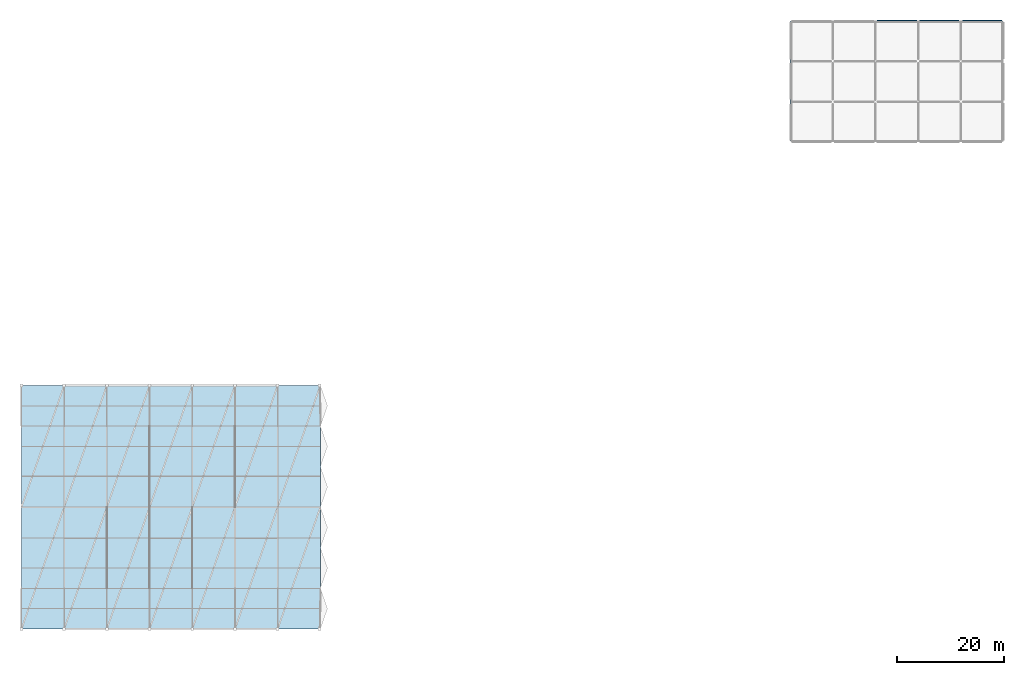
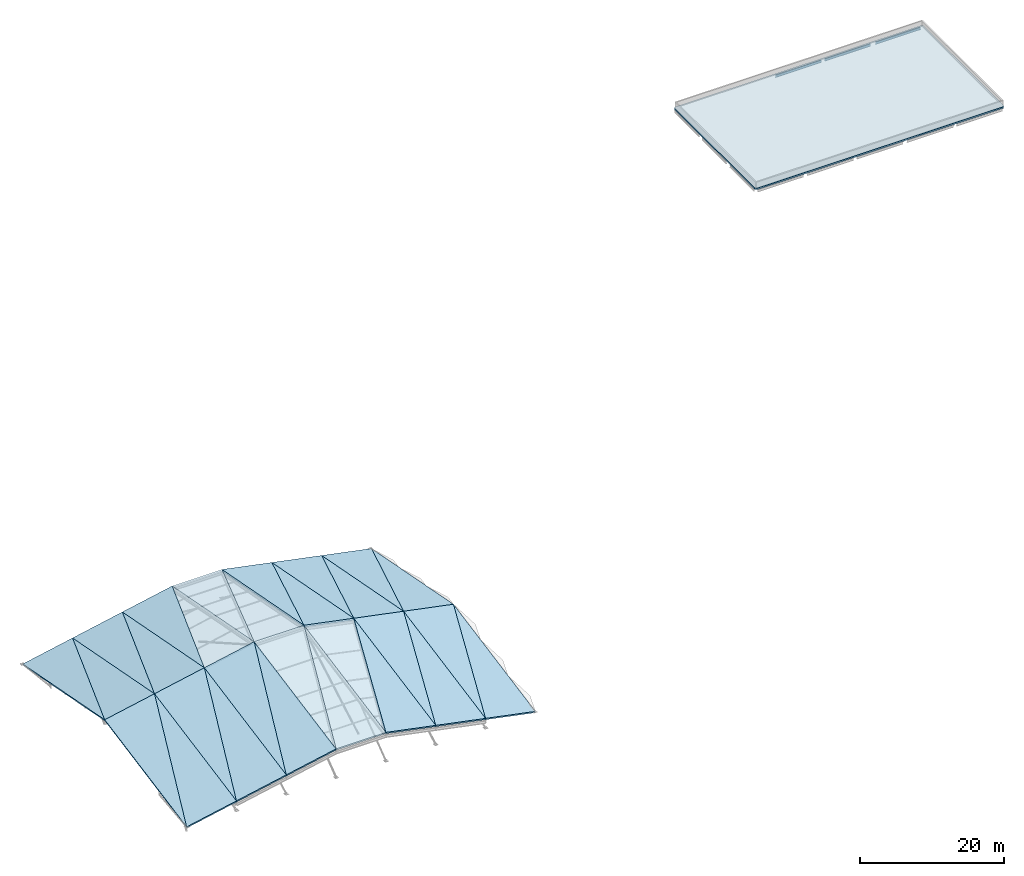
# One storey, part 3 of 9: 29 slabs, 3 beams.
"""IFC4 building model written with IfcOpenShell, lengths in metres."""

import ifcopenshell
import ifcopenshell.guid

model = None  # the IFC model being written
_history = None  # IfcOwnerHistory: only IFC2X3 demands one
_inside = {}  # id of a spatial element -> (the spatial element, [elements in it])
_under = {}  # id of a project, library or spatial element -> (it, [spatial elements below it])
_declared = {}  # id of a project -> (the project, [libraries it declares])
_typed = {}  # id of a type object -> (the type object, [elements of that type])
_made_of = {}  # id of a material, layer set ... -> (it, [elements and type objects made of it])


def new_model(schema):
    """Start an empty IFC model of exactly this schema.

    Asked for "IFC4X3", IfcOpenShell would pick the latest addendum, in which some entities
    have other attributes; the version numbers below select the first issue.
    IFC2X3 requires an IfcOwnerHistory on every rooted entity: one is made here for all.
    """
    global model, _history
    if schema == "IFC4X3":
        model = ifcopenshell.file(schema_version=(4, 3, 0, 0))
    else:
        model = ifcopenshell.file(schema=schema)
    _inside.clear()
    _under.clear()
    _declared.clear()
    _typed.clear()
    _made_of.clear()
    _history = None
    if model.schema == "IFC2X3":
        org = make("IfcOrganization", Name="unknown")
        user = make(
            "IfcPersonAndOrganization",
            ThePerson=make("IfcPerson", FamilyName="unknown"),
            TheOrganization=org,
        )
        app = make(
            "IfcApplication",
            ApplicationDeveloper=org,
            Version="unknown",
            ApplicationFullName="unknown",
            ApplicationIdentifier="unknown",
        )
        _history = make(
            "IfcOwnerHistory",
            OwningUser=user,
            OwningApplication=app,
            ChangeAction="ADDED",
            CreationDate=0,
        )
    return model


def make(cls, **values):
    """One entity of the class cls with the attributes given. An attribute that is None is left unset."""
    return model.create_entity(
        cls, **{name: value for name, value in values.items() if value is not None}
    )


def rooted(cls, **values):
    """An entity with a GlobalId (a new one), such as an element, a storey or a relation."""
    return make(cls, GlobalId=ifcopenshell.guid.new(), OwnerHistory=_history, **values)


def si_unit(unit_type, name, prefix=None):
    """IfcSIUnit, for example si_unit("LENGTHUNIT", "METRE", prefix="MILLI")."""
    return make("IfcSIUnit", UnitType=unit_type, Prefix=prefix, Name=name)


def assignment(units):
    """IfcUnitAssignment: the units of a project."""
    return None if units is None else make("IfcUnitAssignment", Units=units)


def point(xyz):
    """IfcCartesianPoint."""
    return None if xyz is None else make("IfcCartesianPoint", Coordinates=xyz)


def direction(xyz):
    """IfcDirection."""
    return None if xyz is None else make("IfcDirection", DirectionRatios=xyz)


def frame(location, z_axis=None, x_axis=None):
    """IfcAxis2Placement3D, a coordinate frame: its origin and axes. An axis left out is left unset."""
    return make(
        "IfcAxis2Placement3D",
        Location=point(location),
        Axis=direction(z_axis),
        RefDirection=direction(x_axis),
    )


def frame_2d(location, x_axis=None):
    """IfcAxis2Placement2D, a coordinate frame in the plane: its origin and x axis."""
    return make(
        "IfcAxis2Placement2D", Location=point(location), RefDirection=direction(x_axis)
    )


def origin():
    """The frame at (0, 0, 0) with its axes left unset."""
    return frame((0.0, 0.0, 0.0))


def origin_2d():
    """The frame at (0, 0) in the plane with its x axis left unset."""
    return frame_2d((0.0, 0.0))


def place(relative_to, where):
    """IfcLocalPlacement: puts the frame where relative to a parent placement (None: the world)."""
    return make(
        "IfcLocalPlacement", PlacementRelTo=relative_to, RelativePlacement=where
    )


def context(
    kind, dimensions, precision=None, world=None, true_north=None, identifier=None
):
    """IfcGeometricRepresentationContext, for example the 3D "Model" context."""
    return make(
        "IfcGeometricRepresentationContext",
        ContextIdentifier=identifier,
        ContextType=kind,
        CoordinateSpaceDimension=dimensions,
        Precision=precision,
        WorldCoordinateSystem=world,
        TrueNorth=true_north,
    )


def subcontext(parent, identifier, kind, view, scale=None):
    """IfcGeometricRepresentationSubContext, for example "Body" below "Model"."""
    return make(
        "IfcGeometricRepresentationSubContext",
        ContextIdentifier=identifier,
        ContextType=kind,
        ParentContext=parent,
        TargetScale=scale,
        TargetView=view,
    )


def project(units=None, contexts=None):
    """IfcProject with its units and contexts."""
    return rooted(
        "IfcProject",
        Name="project",
        RepresentationContexts=contexts,
        UnitsInContext=assignment(units),
    )


def spatial(cls, under=None, at=None, **own):
    """A site, building, storey or space (cls), placed at a placement, below another one or the project."""
    s = rooted(cls, ObjectPlacement=at, **own)
    if under is not None:
        _under.setdefault(under.id(), (under, []))[1].append(s)
    return s


def polyline(points):
    """IfcPolyline through the points."""
    return make("IfcPolyline", Points=[point(p) for p in points])


def profile(cls, at=None, kind="AREA", **sizes):
    """A parametric profile (cls). Its sizes go by their IFC names, for example OverallWidth=200.0."""
    return make(cls, ProfileType=kind, Position=at, **sizes)


def i_section(**sizes):
    """IfcIShapeProfileDef."""
    return profile("IfcIShapeProfileDef", **sizes)


def outline(outer, holes=None, kind="AREA"):
    """IfcArbitraryClosedProfileDef: a profile drawn as a closed curve; with holes, ...WithVoids."""
    if holes is None:
        return make("IfcArbitraryClosedProfileDef", ProfileType=kind, OuterCurve=outer)
    return make(
        "IfcArbitraryProfileDefWithVoids",
        ProfileType=kind,
        OuterCurve=outer,
        InnerCurves=holes,
    )


def extrude(swept, where, along, depth):
    """IfcExtrudedAreaSolid: the profile swept, set in the frame where, extruded along a direction by depth."""
    return make(
        "IfcExtrudedAreaSolid",
        SweptArea=swept,
        Position=where,
        ExtrudedDirection=direction(along),
        Depth=depth,
    )


def shape(context_of_items, identifier, shape_type, items):
    """IfcShapeRepresentation: the items that make up one representation, for example the "Body"."""
    return make(
        "IfcShapeRepresentation",
        ContextOfItems=context_of_items,
        RepresentationIdentifier=identifier,
        RepresentationType=shape_type,
        Items=items,
    )


def material(Name=None, Category=None):
    """IfcMaterial."""
    return make("IfcMaterial", Name=Name, Category=Category)


def layer(
    of_material, thickness, ventilated=None, Name=None, Category=None, Priority=None
):
    """IfcMaterialLayer: one layer of a wall or slab, of a material (None: an air gap)."""
    return make(
        "IfcMaterialLayer",
        Material=of_material,
        LayerThickness=thickness,
        IsVentilated=ventilated,
        Name=Name,
        Category=Category,
        Priority=Priority,
    )


def layer_set(layers, Name=None):
    """IfcMaterialLayerSet."""
    return make("IfcMaterialLayerSet", MaterialLayers=layers, LayerSetName=Name)


def material_profile(
    of_material, cross_section, Name=None, Category=None, Priority=None
):
    """IfcMaterialProfile: a cross section and its material."""
    return make(
        "IfcMaterialProfile",
        Name=Name,
        Material=of_material,
        Profile=cross_section,
        Priority=Priority,
        Category=Category,
    )


def profile_set(profiles, Name=None, composite=None):
    """IfcMaterialProfileSet."""
    return make(
        "IfcMaterialProfileSet",
        Name=Name,
        MaterialProfiles=profiles,
        CompositeProfile=composite,
    )


def made_of(thing, what):
    """Note that an element or type object is made of a material, layer set ...; save() writes the relation."""
    if what is not None:
        _made_of.setdefault(what.id(), (what, []))[1].append(thing)
    return thing


def type_object(cls, material=None, **own):
    """A type object (cls), such as IfcWallType, which elements share."""
    return made_of(rooted(cls, **own), material)


def element(
    cls,
    number,
    at=None,
    inside=None,
    cuts=None,
    type_object=None,
    material=None,
    context=None,
    identifier="Body",
    shape_type=None,
    held_by="IfcProductDefinitionShape",
    body=None,
    shapes=None,
    **own,
):
    """One element of the class cls, such as IfcWall. Its Tag is "e" and its number.

    at: its placement. inside: the storey or other place that contains it. cuts: it is an
    opening in that element (IfcRelVoidsElement). A single representation is given by context,
    identifier, shape_type and body (its items); several are given by shapes. held_by: the class
    of the entity that holds the representations. save() writes the other relations.
    """
    e = rooted(cls, Tag="e%d" % number, ObjectPlacement=at, **own)
    if body is not None:
        shapes = [shape(context, identifier, shape_type, body)]
    if shapes is not None:
        e.Representation = make(held_by, Representations=shapes)
    if inside is not None:
        _inside.setdefault(inside.id(), (inside, []))[1].append(e)
    if cuts is not None:
        rooted(
            "IfcRelVoidsElement", RelatingBuildingElement=cuts, RelatedOpeningElement=e
        )
    if type_object is not None:
        _typed.setdefault(type_object.id(), (type_object, []))[1].append(e)
    return made_of(e, material)


def aggregate(whole, parts):
    """IfcRelAggregates: a whole, such as a stair, and the parts it consists of."""
    return rooted("IfcRelAggregates", RelatingObject=whole, RelatedObjects=parts)


def save(model, path):
    """Write the relations noted so far, then the file.

    IfcRelAggregates (storeys below a building ...), IfcRelContainedInSpatialStructure (elements
    in a storey), IfcRelDefinesByType, IfcRelAssociatesMaterial and IfcRelDeclares: one each for
    every whole, place, type object, material and project.
    """
    for whole, parts in _under.values():
        aggregate(whole, parts)
    for where, things in _inside.values():
        rooted(
            "IfcRelContainedInSpatialStructure",
            RelatedElements=things,
            RelatingStructure=where,
        )
    for kind, things in _typed.values():
        rooted("IfcRelDefinesByType", RelatedObjects=things, RelatingType=kind)
    for what, things in _made_of.values():
        rooted("IfcRelAssociatesMaterial", RelatedObjects=things, RelatingMaterial=what)
    for by, libraries in _declared.values():
        rooted("IfcRelDeclares", RelatingContext=by, RelatedDefinitions=libraries)
    model.write(path)


model = new_model("IFC4")

# Units and contexts
model_context = context("Model", 3, precision=1e-05, world=origin(), true_north=direction((0.0, 1.0)))
body_context = subcontext(model_context, "Body", "Model", "MODEL_VIEW")
ifc_project = project(units=[si_unit("LENGTHUNIT", "METRE"), si_unit("AREAUNIT", "SQUARE_METRE"), si_unit("VOLUMEUNIT", "CUBIC_METRE"), si_unit("PLANEANGLEUNIT", "RADIAN"), si_unit("MASSUNIT", "GRAM", prefix="KILO")], contexts=[model_context])

# Site, building, storey
site_placement = place(None, origin())
site = spatial("IfcSite", under=ifc_project, at=site_placement, CompositionType="ELEMENT")
building_placement = place(site_placement, origin())
building = spatial("IfcBuilding", under=site, at=building_placement, Name="Khelvaren Railside Concert Hall", CompositionType="ELEMENT")
storey_placement = place(building_placement, frame((0.0, 0.0, 29.39990234375)))
storey = spatial("IfcBuildingStorey", under=building, at=storey_placement, Name="ROOF", CompositionType="ELEMENT", Elevation=29.39990234375)

# Beams
ifc_material_1 = material(Name="Steel S355", Category="steel")
ifc_material_profile = material_profile(ifc_material_1, i_section(OverallWidth=0.179931640625, OverallDepth=0.39990234375, WebThickness=0.008544921875, FlangeThickness=0.013427734375, FilletRadius=0.02099609375, at=origin_2d()), Name="IPE 400")
ifc_profile_set = profile_set([ifc_material_profile], Name="Steel S355")
beam_type = type_object("IfcBeamType", Name="BM29", PredefinedType="BEAM", material=ifc_profile_set)
beam_1_placement = place(storey_placement, frame((160.3359375, 114.0, -0.449951171875), z_axis=(1.0, 0.0, 0.0), x_axis=(0.0, 1.0, 0.0)))
element("IfcBeam", 1, at=beam_1_placement, inside=storey, type_object=beam_type, Name="V5-TOP Roof Beam X (160-168)", PredefinedType="BEAM", context=body_context, shape_type="SweptSolid", body=[
    extrude(i_section(OverallWidth=0.179931640625, OverallDepth=0.39990234375, WebThickness=0.008544921875, FlangeThickness=0.013427734375, FilletRadius=0.02099609375, at=origin_2d()), origin(), (0.0, 0.0, 1.0), 7.39111328125),
])
beam_2_placement = place(storey_placement, frame((168.27294921875, 114.0, -0.449951171875), z_axis=(1.0, 0.0, 0.0), x_axis=(0.0, 1.0, 0.0)))
element("IfcBeam", 2, at=beam_2_placement, inside=storey, type_object=beam_type, Name="V5-TOP Roof Beam X (168-176)", PredefinedType="BEAM", context=body_context, shape_type="SweptSolid", body=[
    extrude(i_section(OverallWidth=0.179931640625, OverallDepth=0.39990234375, WebThickness=0.008544921875, FlangeThickness=0.013427734375, FilletRadius=0.02099609375, at=origin_2d()), origin(), (0.0, 0.0, 1.0), 7.3271484375),
])
beam_3_placement = place(storey_placement, frame((176.39990234375, 114.0, -0.449951171875), z_axis=(1.0, 0.0, 0.0), x_axis=(0.0, 1.0, 0.0)))
element("IfcBeam", 3, at=beam_3_placement, inside=storey, type_object=beam_type, Name="V5-TOP Roof Beam X (176-184)", PredefinedType="BEAM", context=body_context, shape_type="SweptSolid", body=[
    extrude(i_section(OverallWidth=0.179931640625, OverallDepth=0.39990234375, WebThickness=0.008544921875, FlangeThickness=0.013427734375, FilletRadius=0.02099609375, at=origin_2d()), origin(), (0.0, 0.0, 1.0), 7.25),
])

# Slabs
ifc_material_2 = material(Name="Concrete C40/50", Category="concrete")
ifc_layer_1 = layer(ifc_material_2, 0.25)
ifc_layer_set_1 = layer_set([ifc_layer_1], Name="Concrete C40/50")
slab_type_1 = type_object("IfcSlabType", Name="RS83", PredefinedType="ROOF", material=ifc_layer_set_1)
slab_1_placement = place(storey_placement, frame((0.0, 0.0, -0.25)))
element("IfcSlab", 4, at=slab_1_placement, inside=storey, type_object=slab_type_1, Name="V5-TOP ROOF Flat Roof Slab", PredefinedType="ROOF", context=body_context, shape_type="SweptSolid", body=[
    extrude(outline(polyline([(144.25, 91.199951171875), (183.75, 91.199951171875), (184.0, 91.449951171875), (184.0, 113.75), (183.75, 114.0), (144.25, 114.0), (144.0, 113.75), (144.0, 91.449951171875), (144.25, 91.199951171875)])), origin(), (0.0, 0.0, 1.0), 0.25),
])
ifc_layer_2 = layer(ifc_material_2, 0.260009765625)
ifc_layer_set_2 = layer_set([ifc_layer_2], Name="Concrete C40/50")
slab_type_2 = type_object("IfcSlabType", Name="RS89", PredefinedType="ROOF", material=ifc_layer_set_2)
slab_2_placement = place(storey_placement, frame((0.0, 0.0, -2.599853515625), z_axis=(-0.194237501785, -0.184311207674, 0.963483872011), x_axis=(0.980278058899, 0.0, 0.197623195101)))
element("IfcSlab", 5, at=slab_2_placement, inside=storey, type_object=slab_type_2, Name="Main Hall Folded Crystal Roof Facet 1S1", PredefinedType="ROOF", context=body_context, shape_type="SweptSolid", body=[
    extrude(outline(polyline([(0.0, 0.0), (8.160949770709868, 0.0), (9.022897617508482, 23.197469368501228), (0.0, 0.0)])), origin(), (0.0, 0.0, -1.0), 0.260009765625),
])
slab_3_placement = place(storey_placement, frame((0.0, 0.0, -2.599853515625), z_axis=(-0.194237501785, -0.184311207674, 0.963483872011), x_axis=(0.321408213141, 0.916015369171, 0.240026256829)))
element("IfcSlab", 6, at=slab_3_placement, inside=storey, type_object=slab_type_2, Name="Main Hall Folded Crystal Roof Facet 1S2", PredefinedType="ROOF", context=body_context, shape_type="SweptSolid", body=[
    extrude(outline(polyline([(0.0, 0.0), (24.890465373684616, 6.661338147750939e-16), (21.932087009228834, 7.605859492047521), (0.0, 0.0)])), origin(), (0.0, 0.0, -1.0), 0.260009765625),
])
slab_4_placement = place(storey_placement, frame((0.0, 22.800048828125, 1.76171875), z_axis=(-0.194237501785, 0.184311207674, 0.963483872011), x_axis=(0.980278058899, 0.0, 0.197623195101)))
element("IfcSlab", 7, at=slab_4_placement, inside=storey, type_object=slab_type_2, Name="Main Hall Folded Crystal Roof Facet 1N1", PredefinedType="ROOF", context=body_context, shape_type="SweptSolid", body=[
    extrude(outline(polyline([(0.0, 0.0), (8.160949770709868, 0.0), (7.299001923911255, 23.197469368501224), (0.0, 0.0)])), origin(), (0.0, 0.0, -1.0), 0.260009765625),
])
slab_5_placement = place(storey_placement, frame((0.0, 22.800048828125, 1.76171875), z_axis=(-0.194237501785, 0.184311207674, 0.963483872011), x_axis=(0.32896527427, 0.937553039514, -0.113031616913)))
element("IfcSlab", 8, at=slab_5_placement, inside=storey, type_object=slab_type_2, Name="Main Hall Folded Crystal Roof Facet 1N2", PredefinedType="ROOF", context=body_context, shape_type="SweptSolid", body=[
    extrude(outline(polyline([(0.0, 0.0), (24.318676242505735, -6.661338147750939e-16), (21.869250645349265, 7.78469109239693), (0.0, 0.0)])), origin(), (0.0, 0.0, -1.0), 0.260009765625),
])
slab_6_placement = place(storey_placement, frame((8.0, 0.0, -0.987060546875), z_axis=(-0.194237501785, -0.184311207674, 0.963483872011), x_axis=(0.980278058899, 0.0, 0.197623195101)))
element("IfcSlab", 9, at=slab_6_placement, inside=storey, type_object=slab_type_2, Name="Main Hall Folded Crystal Roof Facet 2S1", PredefinedType="ROOF", context=body_context, shape_type="SweptSolid", body=[
    extrude(outline(polyline([(0.0, 0.0), (8.160949770709868, 0.0), (9.022897617508482, 23.197469368501228), (0.0, 0.0)])), origin(), (0.0, 0.0, -1.0), 0.260009765625),
])
slab_7_placement = place(storey_placement, frame((8.0, 0.0, -0.987060546875), z_axis=(-0.194237501785, -0.184311207674, 0.963483872011), x_axis=(0.321408213141, 0.916015369171, 0.240026256829)))
element("IfcSlab", 10, at=slab_7_placement, inside=storey, type_object=slab_type_2, Name="Main Hall Folded Crystal Roof Facet 2S2", PredefinedType="ROOF", context=body_context, shape_type="SweptSolid", body=[
    extrude(outline(polyline([(0.0, 0.0), (24.890465373684616, 6.661338147750939e-16), (21.932087009228834, 7.605859492047521), (0.0, 0.0)])), origin(), (0.0, 0.0, -1.0), 0.260009765625),
])
slab_8_placement = place(storey_placement, frame((8.0, 22.800048828125, 3.37451171875), z_axis=(-0.194237501785, 0.184311207674, 0.963483872011), x_axis=(0.980278058899, 0.0, 0.197623195101)))
element("IfcSlab", 11, at=slab_8_placement, inside=storey, type_object=slab_type_2, Name="Main Hall Folded Crystal Roof Facet 2N1", PredefinedType="ROOF", context=body_context, shape_type="SweptSolid", body=[
    extrude(outline(polyline([(0.0, 0.0), (8.160949770709868, 0.0), (7.299001923911255, 23.197469368501224), (0.0, 0.0)])), origin(), (0.0, 0.0, -1.0), 0.260009765625),
])
slab_9_placement = place(storey_placement, frame((8.0, 22.800048828125, 3.37451171875), z_axis=(-0.194237501785, 0.184311207674, 0.963483872011), x_axis=(0.32896527427, 0.937553039514, -0.113031616913)))
element("IfcSlab", 12, at=slab_9_placement, inside=storey, type_object=slab_type_2, Name="Main Hall Folded Crystal Roof Facet 2N2", PredefinedType="ROOF", context=body_context, shape_type="SweptSolid", body=[
    extrude(outline(polyline([(0.0, 0.0), (24.318676242505735, -6.661338147750939e-16), (21.869250645349265, 7.78469109239693), (0.0, 0.0)])), origin(), (0.0, 0.0, -1.0), 0.260009765625),
])
slab_10_placement = place(storey_placement, frame((16.0, 0.0, 0.625732421875), z_axis=(-0.194237501785, -0.184311207674, 0.963483872011), x_axis=(0.980278058899, 0.0, 0.197623195101)))
element("IfcSlab", 13, at=slab_10_placement, inside=storey, type_object=slab_type_2, Name="Main Hall Folded Crystal Roof Facet 3S1", PredefinedType="ROOF", context=body_context, shape_type="SweptSolid", body=[
    extrude(outline(polyline([(0.0, 0.0), (8.160949770709868, 0.0), (9.022897617508482, 23.197469368501228), (0.0, 0.0)])), origin(), (0.0, 0.0, -1.0), 0.260009765625),
])
slab_11_placement = place(storey_placement, frame((16.0, 0.0, 0.625732421875), z_axis=(-0.194237501785, -0.184311207674, 0.963483872011), x_axis=(0.321408213141, 0.916015369171, 0.240026256829)))
element("IfcSlab", 14, at=slab_11_placement, inside=storey, type_object=slab_type_2, Name="Main Hall Folded Crystal Roof Facet 3S2", PredefinedType="ROOF", context=body_context, shape_type="SweptSolid", body=[
    extrude(outline(polyline([(0.0, 0.0), (24.890465373684616, 6.661338147750939e-16), (21.932087009228834, 7.605859492047521), (0.0, 0.0)])), origin(), (0.0, 0.0, -1.0), 0.260009765625),
])
slab_12_placement = place(storey_placement, frame((16.0, 22.800048828125, 4.9873046875), z_axis=(-0.194237501785, 0.184311207674, 0.963483872011), x_axis=(0.980278058899, 0.0, 0.197623195101)))
element("IfcSlab", 15, at=slab_12_placement, inside=storey, type_object=slab_type_2, Name="Main Hall Folded Crystal Roof Facet 3N1", PredefinedType="ROOF", context=body_context, shape_type="SweptSolid", body=[
    extrude(outline(polyline([(0.0, 0.0), (8.160949770709868, 0.0), (7.299001923911255, 23.197469368501224), (0.0, 0.0)])), origin(), (0.0, 0.0, -1.0), 0.260009765625),
])
slab_13_placement = place(storey_placement, frame((16.0, 22.800048828125, 4.9873046875), z_axis=(-0.194237501785, 0.184311207674, 0.963483872011), x_axis=(0.32896527427, 0.937553039514, -0.113031616913)))
element("IfcSlab", 16, at=slab_13_placement, inside=storey, type_object=slab_type_2, Name="Main Hall Folded Crystal Roof Facet 3N2", PredefinedType="ROOF", context=body_context, shape_type="SweptSolid", body=[
    extrude(outline(polyline([(0.0, 0.0), (24.318676242505735, -6.661338147750939e-16), (21.869250645349265, 7.78469109239693), (0.0, 0.0)])), origin(), (0.0, 0.0, -1.0), 0.260009765625),
])
slab_14_placement = place(storey_placement, frame((24.0, 0.0, 2.238525390625), z_axis=(0.0, -0.187889654161, 0.982190143434), x_axis=(1.0, 0.0, 0.0)))
element("IfcSlab", 17, at=slab_14_placement, inside=storey, type_object=slab_type_2, Name="Main Hall Folded Crystal Roof Facet 4S1", PredefinedType="ROOF", context=body_context, shape_type="SweptSolid", body=[
    extrude(outline(polyline([(0.0, 0.0), (8.0, 0.0), (8.0, 23.213477533388946), (0.0, 0.0)])), origin(), (0.0, 0.0, -1.0), 0.260009765625),
])
slab_15_placement = place(storey_placement, frame((24.0, 0.0, 2.238525390625), z_axis=(0.0, -0.187889654161, 0.982190143434), x_axis=(0.325821513861, 0.92859330316, 0.1776367598)))
element("IfcSlab", 18, at=slab_15_placement, inside=storey, type_object=slab_type_2, Name="Main Hall Folded Crystal Roof Facet 4S2", PredefinedType="ROOF", context=body_context, shape_type="SweptSolid", body=[
    extrude(outline(polyline([(0.0, 0.0), (24.553320329298714, -8.326672684688674e-16), (21.946748218412726, 7.563450391901262), (0.0, 0.0)])), origin(), (0.0, 0.0, -1.0), 0.260009765625),
])
slab_16_placement = place(storey_placement, frame((24.0, 22.800048828125, 6.60009765625), z_axis=(0.0, 0.187889654161, 0.982190143434), x_axis=(1.0, 0.0, 0.0)))
element("IfcSlab", 19, at=slab_16_placement, inside=storey, type_object=slab_type_2, Name="Main Hall Folded Crystal Roof Facet 4N1", PredefinedType="ROOF", context=body_context, shape_type="SweptSolid", body=[
    extrude(outline(polyline([(0.0, 0.0), (8.0, 0.0), (8.0, 23.213477533388946), (0.0, 0.0)])), origin(), (0.0, 0.0, -1.0), 0.260009765625),
])
slab_17_placement = place(storey_placement, frame((24.0, 22.800048828125, 6.60009765625), z_axis=(0.0, 0.187889654161, 0.982190143434), x_axis=(0.325821513861, 0.92859330316, -0.1776367598)))
element("IfcSlab", 20, at=slab_17_placement, inside=storey, type_object=slab_type_2, Name="Main Hall Folded Crystal Roof Facet 4N2", PredefinedType="ROOF", context=body_context, shape_type="SweptSolid", body=[
    extrude(outline(polyline([(0.0, 0.0), (24.553320329298714, -8.326672684688674e-16), (21.946748218412726, 7.563450391901262), (0.0, 0.0)])), origin(), (0.0, 0.0, -1.0), 0.260009765625),
])
slab_18_placement = place(storey_placement, frame((32.0, 0.0, 2.238525390625), z_axis=(0.194237501785, -0.184311207674, 0.963483872011), x_axis=(0.980278058899, 0.0, -0.197623195101)))
element("IfcSlab", 21, at=slab_18_placement, inside=storey, type_object=slab_type_2, Name="Main Hall Folded Crystal Roof Facet 5S1", PredefinedType="ROOF", context=body_context, shape_type="SweptSolid", body=[
    extrude(outline(polyline([(0.0, 0.0), (8.160949770709868, 0.0), (7.299001923911255, 23.197469368501224), (0.0, 0.0)])), origin(), (0.0, 0.0, -1.0), 0.260009765625),
])
slab_19_placement = place(storey_placement, frame((32.0, 0.0, 2.238525390625), z_axis=(0.194237501785, -0.184311207674, 0.963483872011), x_axis=(0.32896527427, 0.937553039514, 0.113031616913)))
element("IfcSlab", 22, at=slab_19_placement, inside=storey, type_object=slab_type_2, Name="Main Hall Folded Crystal Roof Facet 5S2", PredefinedType="ROOF", context=body_context, shape_type="SweptSolid", body=[
    extrude(outline(polyline([(0.0, 0.0), (24.318676242505735, -6.661338147750939e-16), (21.869250645349265, 7.78469109239693), (0.0, 0.0)])), origin(), (0.0, 0.0, -1.0), 0.260009765625),
])
slab_20_placement = place(storey_placement, frame((32.0, 22.800048828125, 6.60009765625), z_axis=(0.194237501785, 0.184311207674, 0.963483872011), x_axis=(0.980278058899, 0.0, -0.197623195101)))
element("IfcSlab", 23, at=slab_20_placement, inside=storey, type_object=slab_type_2, Name="Main Hall Folded Crystal Roof Facet 5N1", PredefinedType="ROOF", context=body_context, shape_type="SweptSolid", body=[
    extrude(outline(polyline([(0.0, 0.0), (8.160949770709868, 0.0), (9.022897617508482, 23.197469368501228), (0.0, 0.0)])), origin(), (0.0, 0.0, -1.0), 0.260009765625),
])
slab_21_placement = place(storey_placement, frame((32.0, 22.800048828125, 6.60009765625), z_axis=(0.194237501785, 0.184311207674, 0.963483872011), x_axis=(0.321408213141, 0.916015369171, -0.240026256829)))
element("IfcSlab", 24, at=slab_21_placement, inside=storey, type_object=slab_type_2, Name="Main Hall Folded Crystal Roof Facet 5N2", PredefinedType="ROOF", context=body_context, shape_type="SweptSolid", body=[
    extrude(outline(polyline([(0.0, 0.0), (24.890465373684616, 6.661338147750939e-16), (21.932087009228834, 7.605859492047521), (0.0, 0.0)])), origin(), (0.0, 0.0, -1.0), 0.260009765625),
])
slab_22_placement = place(storey_placement, frame((40.0, 0.0, 0.625732421875), z_axis=(0.194237501785, -0.184311207674, 0.963483872011), x_axis=(0.980278058899, 0.0, -0.197623195101)))
element("IfcSlab", 25, at=slab_22_placement, inside=storey, type_object=slab_type_2, Name="Main Hall Folded Crystal Roof Facet 6S1", PredefinedType="ROOF", context=body_context, shape_type="SweptSolid", body=[
    extrude(outline(polyline([(0.0, 0.0), (8.160949770709868, 0.0), (7.299001923911255, 23.197469368501224), (0.0, 0.0)])), origin(), (0.0, 0.0, -1.0), 0.260009765625),
])
slab_23_placement = place(storey_placement, frame((40.0, 0.0, 0.625732421875), z_axis=(0.194237501785, -0.184311207674, 0.963483872011), x_axis=(0.32896527427, 0.937553039514, 0.113031616913)))
element("IfcSlab", 26, at=slab_23_placement, inside=storey, type_object=slab_type_2, Name="Main Hall Folded Crystal Roof Facet 6S2", PredefinedType="ROOF", context=body_context, shape_type="SweptSolid", body=[
    extrude(outline(polyline([(0.0, 0.0), (24.318676242505735, -6.661338147750939e-16), (21.869250645349265, 7.78469109239693), (0.0, 0.0)])), origin(), (0.0, 0.0, -1.0), 0.260009765625),
])
slab_24_placement = place(storey_placement, frame((40.0, 22.800048828125, 4.9873046875), z_axis=(0.194237501785, 0.184311207674, 0.963483872011), x_axis=(0.980278058899, 0.0, -0.197623195101)))
element("IfcSlab", 27, at=slab_24_placement, inside=storey, type_object=slab_type_2, Name="Main Hall Folded Crystal Roof Facet 6N1", PredefinedType="ROOF", context=body_context, shape_type="SweptSolid", body=[
    extrude(outline(polyline([(0.0, 0.0), (8.160949770709868, 0.0), (9.022897617508482, 23.197469368501228), (0.0, 0.0)])), origin(), (0.0, 0.0, -1.0), 0.260009765625),
])
slab_25_placement = place(storey_placement, frame((40.0, 22.800048828125, 4.9873046875), z_axis=(0.194237501785, 0.184311207674, 0.963483872011), x_axis=(0.321408213141, 0.916015369171, -0.240026256829)))
element("IfcSlab", 28, at=slab_25_placement, inside=storey, type_object=slab_type_2, Name="Main Hall Folded Crystal Roof Facet 6N2", PredefinedType="ROOF", context=body_context, shape_type="SweptSolid", body=[
    extrude(outline(polyline([(0.0, 0.0), (24.890465373684616, 6.661338147750939e-16), (21.932087009228834, 7.605859492047521), (0.0, 0.0)])), origin(), (0.0, 0.0, -1.0), 0.260009765625),
])
slab_26_placement = place(storey_placement, frame((48.0, 0.0, -0.987060546875), z_axis=(0.194237501785, -0.184311207674, 0.963483872011), x_axis=(0.980278058899, 0.0, -0.197623195101)))
element("IfcSlab", 29, at=slab_26_placement, inside=storey, type_object=slab_type_2, Name="Main Hall Folded Crystal Roof Facet 7S1", PredefinedType="ROOF", context=body_context, shape_type="SweptSolid", body=[
    extrude(outline(polyline([(0.0, 0.0), (8.160949770709868, 0.0), (7.299001923911255, 23.197469368501224), (0.0, 0.0)])), origin(), (0.0, 0.0, -1.0), 0.260009765625),
])
slab_27_placement = place(storey_placement, frame((48.0, 0.0, -0.987060546875), z_axis=(0.194237501785, -0.184311207674, 0.963483872011), x_axis=(0.32896527427, 0.937553039514, 0.113031616913)))
element("IfcSlab", 30, at=slab_27_placement, inside=storey, type_object=slab_type_2, Name="Main Hall Folded Crystal Roof Facet 7S2", PredefinedType="ROOF", context=body_context, shape_type="SweptSolid", body=[
    extrude(outline(polyline([(0.0, 0.0), (24.318676242505735, -6.661338147750939e-16), (21.869250645349265, 7.78469109239693), (0.0, 0.0)])), origin(), (0.0, 0.0, -1.0), 0.260009765625),
])
slab_28_placement = place(storey_placement, frame((48.0, 22.800048828125, 3.37451171875), z_axis=(0.194237501785, 0.184311207674, 0.963483872011), x_axis=(0.980278058899, 0.0, -0.197623195101)))
element("IfcSlab", 31, at=slab_28_placement, inside=storey, type_object=slab_type_2, Name="Main Hall Folded Crystal Roof Facet 7N1", PredefinedType="ROOF", context=body_context, shape_type="SweptSolid", body=[
    extrude(outline(polyline([(0.0, 0.0), (8.160949770709868, 0.0), (9.022897617508482, 23.197469368501228), (0.0, 0.0)])), origin(), (0.0, 0.0, -1.0), 0.260009765625),
])
slab_29_placement = place(storey_placement, frame((48.0, 22.800048828125, 3.37451171875), z_axis=(0.194237501785, 0.184311207674, 0.963483872011), x_axis=(0.321408213141, 0.916015369171, -0.240026256829)))
element("IfcSlab", 32, at=slab_29_placement, inside=storey, type_object=slab_type_2, Name="Main Hall Folded Crystal Roof Facet 7N2", PredefinedType="ROOF", context=body_context, shape_type="SweptSolid", body=[
    extrude(outline(polyline([(0.0, 0.0), (24.890465373684616, 6.661338147750939e-16), (21.932087009228834, 7.605859492047521), (0.0, 0.0)])), origin(), (0.0, 0.0, -1.0), 0.260009765625),
])

save(model, "model.ifc")
